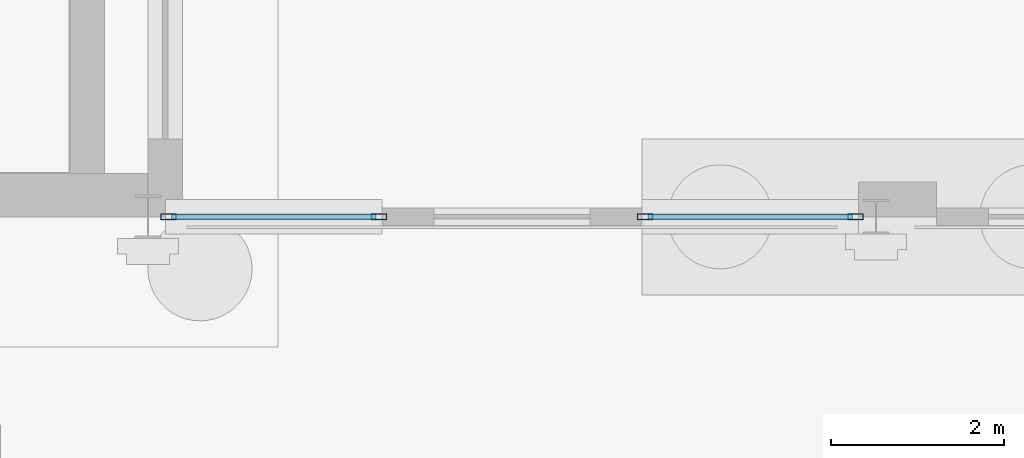
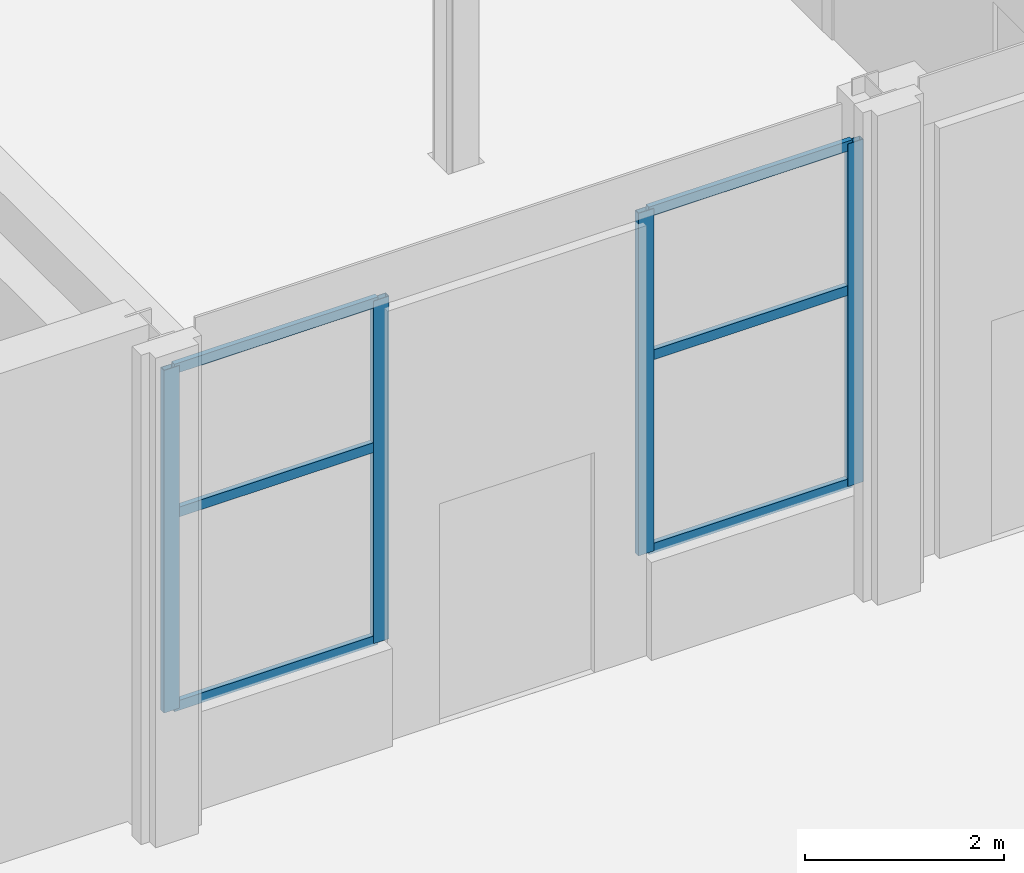
# One storey, part 151 of 212: 10 members, 2 elements without a shape of their own.
"""IFC4 building model written with IfcOpenShell, lengths in metres."""

from ifc_helpers import new_model, si_unit, direction, frame, origin, origin_2d, place, context, subcontext, project, spatial, hollow_rectangle, extrude, material, material_profile, profile_set, type_object, element, aggregate, save


model = new_model("IFC4")

# Units and contexts
model_context = context("Model", 3, precision=1e-05, world=origin(), true_north=direction((0.0, 1.0)))
body_context = subcontext(model_context, "Body", "Model", "MODEL_VIEW")
ifc_project = project(units=[si_unit("LENGTHUNIT", "METRE"), si_unit("AREAUNIT", "SQUARE_METRE"), si_unit("VOLUMEUNIT", "CUBIC_METRE"), si_unit("PLANEANGLEUNIT", "RADIAN"), si_unit("MASSUNIT", "GRAM", prefix="KILO")], contexts=[model_context])

# Site, building, storey
site_placement = place(None, origin())
site = spatial("IfcSite", under=ifc_project, at=site_placement, CompositionType="ELEMENT")
building_placement = place(site_placement, origin())
building = spatial("IfcBuilding", under=site, at=building_placement, Name="Catenary Quay Ferry Terminal", CompositionType="ELEMENT")
storey_placement = place(building_placement, origin())
storey = spatial("IfcBuildingStorey", under=building, at=storey_placement, Name="L00", CompositionType="ELEMENT", Elevation=0.0)

# Curtain wall, members
ifc_material_1 = material(Name="Aluminium and glass", Category="aluminium")
curtain_wall_type = type_object("IfcCurtainWallType", Name="CWW1", PredefinedType="NOTDEFINED", material=ifc_material_1)
curtain_wall_1_placement = place(storey_placement, origin())
curtain_wall_1 = element("IfcCurtainWall", 1, at=curtain_wall_1_placement, inside=storey, type_object=curtain_wall_type, Name="Wing curtain wall CW113", PredefinedType="NOTDEFINED")
ifc_material_2 = material(Name="Aluminium", Category="aluminium")
ifc_material_profile_1 = material_profile(ifc_material_2, hollow_rectangle(XDim=0.070068359375, YDim=0.179931640625, WallThickness=0.006103515625, at=origin_2d()), Name="MU3")
ifc_profile_set_1 = profile_set([ifc_material_profile_1], Name="Aluminium")
member_type_1 = type_object("IfcMemberType", Name="MU3", PredefinedType="MULLION", material=ifc_profile_set_1)
member_1_placement = place(storey_placement, frame((50.635009765625, 159.60009765625, 1.199951171875), z_axis=(0.0, 0.0, 1.0), x_axis=(0.0, 1.0, 0.0)))
member_1 = element("IfcMember", 2, at=member_1_placement, type_object=member_type_1, Name="CW113 mullion 1", PredefinedType="MULLION", context=body_context, shape_type="SweptSolid", body=[
    extrude(hollow_rectangle(XDim=0.070068359375, YDim=0.179931640625, WallThickness=0.006103515625, at=origin_2d()), origin(), (0.0, 0.0, 1.0), 4.199951171875),
])
member_2_placement = place(storey_placement, frame((53.06494140625, 159.60009765625, 1.199951171875), z_axis=(0.0, 0.0, 1.0), x_axis=(0.0, 1.0, 0.0)))
member_2 = element("IfcMember", 3, at=member_2_placement, type_object=member_type_1, Name="CW113 mullion 2", PredefinedType="MULLION", context=body_context, shape_type="SweptSolid", body=[
    extrude(hollow_rectangle(XDim=0.070068359375, YDim=0.179931640625, WallThickness=0.006103515625, at=origin_2d()), origin(), (0.0, 0.0, 1.0), 4.199951171875),
])

curtain_wall_2_placement = place(storey_placement, origin())
curtain_wall_2 = element("IfcCurtainWall", 4, at=curtain_wall_2_placement, inside=storey, type_object=curtain_wall_type, Name="Wing curtain wall CW114", PredefinedType="NOTDEFINED")
member_3_placement = place(storey_placement, frame((56.135009765625, 159.60009765625, 1.199951171875), z_axis=(0.0, 0.0, 1.0), x_axis=(0.0, 1.0, 0.0)))
member_3 = element("IfcMember", 5, at=member_3_placement, type_object=member_type_1, Name="CW114 mullion 1", PredefinedType="MULLION", context=body_context, shape_type="SweptSolid", body=[
    extrude(hollow_rectangle(XDim=0.070068359375, YDim=0.179931640625, WallThickness=0.006103515625, at=origin_2d()), origin(), (0.0, 0.0, 1.0), 4.199951171875),
])
member_4_placement = place(storey_placement, frame((58.56494140625, 159.60009765625, 1.199951171875), z_axis=(0.0, 0.0, 1.0), x_axis=(0.0, 1.0, 0.0)))
member_4 = element("IfcMember", 6, at=member_4_placement, type_object=member_type_1, Name="CW114 mullion 2", PredefinedType="MULLION", context=body_context, shape_type="SweptSolid", body=[
    extrude(hollow_rectangle(XDim=0.070068359375, YDim=0.179931640625, WallThickness=0.006103515625, at=origin_2d()), origin(), (0.0, 0.0, 1.0), 4.199951171875),
])

# Member
ifc_material_3 = material(Name="Aluminium", Category="aluminium")
ifc_material_profile_2 = material_profile(ifc_material_3, hollow_rectangle(XDim=0.06005859375, YDim=0.1201171875, WallThickness=0.0048828125, at=origin_2d()), Name="TR3")
ifc_profile_set_2 = profile_set([ifc_material_profile_2], Name="Aluminium")
member_type_2 = type_object("IfcMemberType", Name="TR3", PredefinedType="USERDEFINED", material=ifc_profile_set_2)
member_5_placement = place(storey_placement, frame((50.669921875, 159.60009765625, 1.22998046875), z_axis=(1.0, 0.0, 0.0), x_axis=(0.0, 1.0, 0.0)))
member_5 = element("IfcMember", 7, at=member_5_placement, type_object=member_type_2, Name="CW113 transom 1.1", ObjectType="TRANSOM", PredefinedType="USERDEFINED", context=body_context, shape_type="SweptSolid", body=[
    extrude(hollow_rectangle(XDim=0.06005859375, YDim=0.1201171875, WallThickness=0.0048828125, at=origin_2d()), origin(), (0.0, 0.0, 1.0), 2.360107421875),
])

member_6_placement = place(storey_placement, frame((50.669921875, 159.60009765625, 3.60009765625), z_axis=(1.0, 0.0, 0.0), x_axis=(0.0, 1.0, 0.0)))
member_6 = element("IfcMember", 8, at=member_6_placement, type_object=member_type_2, Name="CW113 transom 1.2", ObjectType="TRANSOM", PredefinedType="USERDEFINED", context=body_context, shape_type="SweptSolid", body=[
    extrude(hollow_rectangle(XDim=0.06005859375, YDim=0.1201171875, WallThickness=0.0048828125, at=origin_2d()), origin(), (0.0, 0.0, 1.0), 2.360107421875),
])

member_7_placement = place(storey_placement, frame((50.669921875, 159.60009765625, 5.3701171875), z_axis=(1.0, 0.0, 0.0), x_axis=(0.0, 1.0, 0.0)))
member_7 = element("IfcMember", 9, at=member_7_placement, type_object=member_type_2, Name="CW113 transom 1.3", ObjectType="TRANSOM", PredefinedType="USERDEFINED", context=body_context, shape_type="SweptSolid", body=[
    extrude(hollow_rectangle(XDim=0.06005859375, YDim=0.1201171875, WallThickness=0.0048828125, at=origin_2d()), origin(), (0.0, 0.0, 1.0), 2.360107421875),
])

aggregate(curtain_wall_1, [member_1, member_2, member_5, member_6, member_7])

member_8_placement = place(storey_placement, frame((56.169921875, 159.60009765625, 1.22998046875), z_axis=(1.0, 0.0, 0.0), x_axis=(0.0, 1.0, 0.0)))
member_8 = element("IfcMember", 10, at=member_8_placement, type_object=member_type_2, Name="CW114 transom 1.1", ObjectType="TRANSOM", PredefinedType="USERDEFINED", context=body_context, shape_type="SweptSolid", body=[
    extrude(hollow_rectangle(XDim=0.06005859375, YDim=0.1201171875, WallThickness=0.0048828125, at=origin_2d()), origin(), (0.0, 0.0, 1.0), 2.360107421875),
])

member_9_placement = place(storey_placement, frame((56.169921875, 159.60009765625, 3.60009765625), z_axis=(1.0, 0.0, 0.0), x_axis=(0.0, 1.0, 0.0)))
member_9 = element("IfcMember", 11, at=member_9_placement, type_object=member_type_2, Name="CW114 transom 1.2", ObjectType="TRANSOM", PredefinedType="USERDEFINED", context=body_context, shape_type="SweptSolid", body=[
    extrude(hollow_rectangle(XDim=0.06005859375, YDim=0.1201171875, WallThickness=0.0048828125, at=origin_2d()), origin(), (0.0, 0.0, 1.0), 2.360107421875),
])

member_10_placement = place(storey_placement, frame((56.169921875, 159.60009765625, 5.3701171875), z_axis=(1.0, 0.0, 0.0), x_axis=(0.0, 1.0, 0.0)))
member_10 = element("IfcMember", 12, at=member_10_placement, type_object=member_type_2, Name="CW114 transom 1.3", ObjectType="TRANSOM", PredefinedType="USERDEFINED", context=body_context, shape_type="SweptSolid", body=[
    extrude(hollow_rectangle(XDim=0.06005859375, YDim=0.1201171875, WallThickness=0.0048828125, at=origin_2d()), origin(), (0.0, 0.0, 1.0), 2.360107421875),
])

aggregate(curtain_wall_2, [member_3, member_4, member_8, member_9, member_10])

save(model, "model.ifc")
